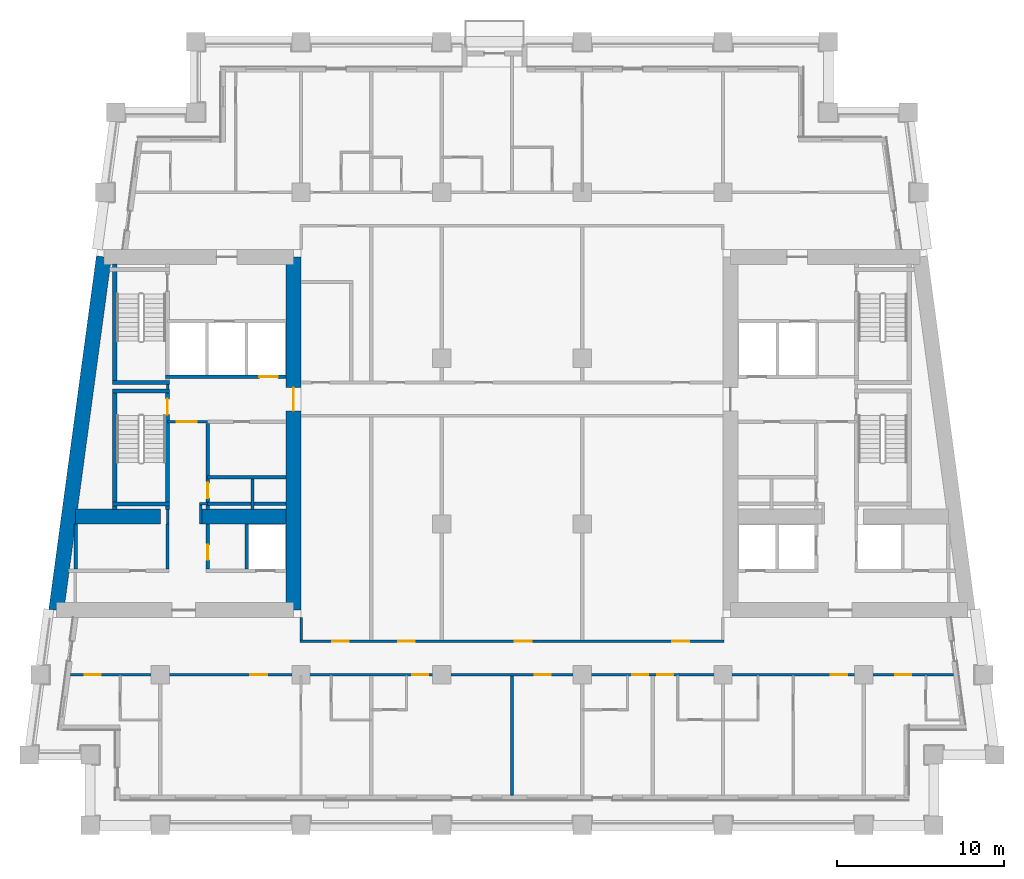
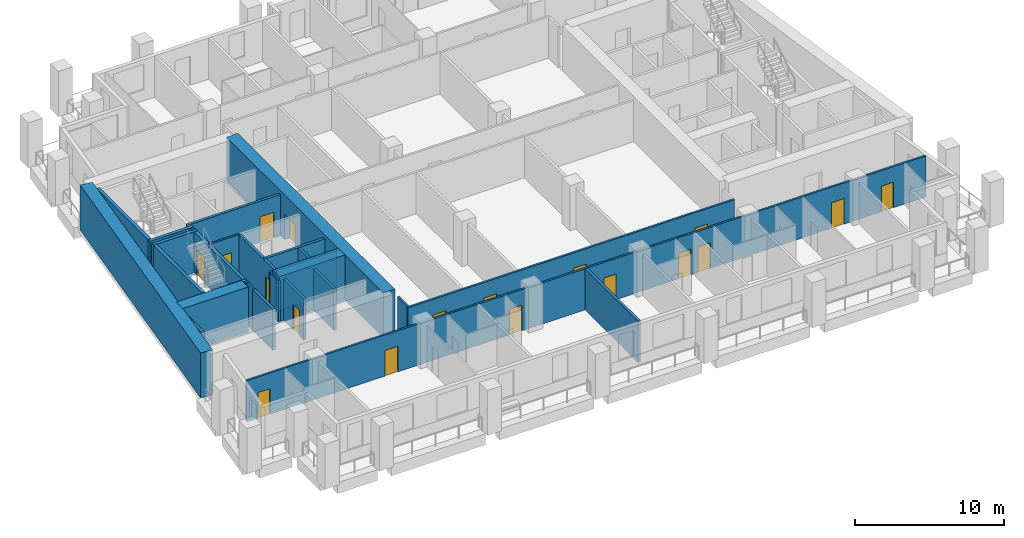
# One storey, part 3 of 12: 28 walls, 18 doors, 18 openings.
"""IFC4 building model written with IfcOpenShell, lengths in metres."""

from ifc_helpers import new_model, si_unit, direction, frame, frame_2d, origin, place, context, subcontext, project, spatial, rectangle, extrude, material, layer, layer_set, type_object, element, fill, save


model = new_model("IFC4")

# Units and contexts
model_context = context("Model", 3, precision=1e-05, world=origin(), true_north=direction((0.0, 1.0)))
body_context = subcontext(model_context, "Body", "Model", "MODEL_VIEW")
ifc_project = project(units=[si_unit("LENGTHUNIT", "METRE"), si_unit("AREAUNIT", "SQUARE_METRE"), si_unit("VOLUMEUNIT", "CUBIC_METRE"), si_unit("PLANEANGLEUNIT", "RADIAN"), si_unit("MASSUNIT", "GRAM", prefix="KILO")], contexts=[model_context])

# Site, building, storey
site_placement = place(None, origin())
site = spatial("IfcSite", under=ifc_project, at=site_placement, CompositionType="ELEMENT")
building_placement = place(site_placement, origin())
building = spatial("IfcBuilding", under=site, at=building_placement, Name="Candeia Pilgrim Tower and Theatre", CompositionType="ELEMENT")
storey_placement = place(building_placement, frame((0.0, 0.0, 184.800048828125)))
storey = spatial("IfcBuildingStorey", under=building, at=storey_placement, Name="L44", CompositionType="ELEMENT", Elevation=184.800048828125)

# Wall, opening, door
ifc_material_1 = material(Name="Concrete C60/75", Category="concrete")
ifc_layer_1 = layer(ifc_material_1, 0.89990234375)
ifc_layer_set_1 = layer_set([ifc_layer_1], Name="Core wall 900 C60/75")
wall_type_1 = type_object("IfcWallType", Name="Core wall 900 C60/75", PredefinedType="SHEAR", material=ifc_layer_set_1)
wall_1_placement = place(storey_placement, frame((100.35009765625, 131.949951171875, 0.0), z_axis=(0.0, 0.0, 1.0), x_axis=(0.0, -1.0, 0.0)))
wall_1 = element("IfcWall", 1, at=wall_1_placement, inside=storey, type_object=wall_type_1, Name="Core wall W2", PredefinedType="SHEAR", context=body_context, shape_type="SweptSolid", body=[
    extrude(rectangle(XDim=21.099853515625, YDim=0.89990234375, at=frame_2d((10.5498046875, 0.0))), origin(), (0.0, 0.0, 1.0), 3.699951171875),
])
opening_1_placement = place(wall_1_placement, frame((7.800048828125, 0.0, 0.0)))
opening_1 = element("IfcOpeningElement", 2, at=opening_1_placement, cuts=wall_1, Name="Opening L44-D055", PredefinedType="OPENING", context=body_context, shape_type="SweptSolid", body=[
    extrude(rectangle(XDim=1.39990234375, YDim=2.10009765625, at=frame_2d((0.699951171875, 1.050048828125))), frame((0.0, 0.4599609375, 0.0), z_axis=(0.0, -1.0, 0.0), x_axis=(1.0, 0.0, 0.0)), (0.0, 0.0, 1.0), 0.919921875),
])
ifc_material_2 = material(Name="Steel fire door set", Category="steel")
door_type_1 = type_object("IfcDoorType", Name="D-1400-FD60", OperationType="NOTDEFINED", PredefinedType="DOOR", material=ifc_material_2)
door_1_placement = place(opening_1_placement, origin())
door_1 = element("IfcDoor", 3, at=door_1_placement, inside=storey, type_object=door_type_1, Name="Door L44-D055", OperationType="SINGLE_SWING_LEFT", OverallHeight=2.10009765625, OverallWidth=1.39990234375, PredefinedType="DOOR", context=body_context, shape_type="SweptSolid", body=[
    extrude(rectangle(XDim=1.39990234375, YDim=2.10009765625, at=frame_2d((0.699951171875, 1.050048828125))), frame((0.0, 0.02490234375, 0.0), z_axis=(0.0, -1.0, 0.0), x_axis=(1.0, 0.0, 0.0)), (0.0, 0.0, 1.0), 0.050048828125),
])
fill(opening_1, door_1)

# Walls
wall_2_placement = place(storey_placement, frame((86.183837890625, 110.85009765625, 0.0), z_axis=(0.0, 0.0, 1.0), x_axis=(0.133410495943, 0.991060865725, 0.0)))
element("IfcWall", 4, at=wall_2_placement, inside=storey, type_object=wall_type_1, Name="Core wall W4", PredefinedType="SHEAR", context=body_context, shape_type="SweptSolid", body=[
    extrude(rectangle(XDim=21.290283203125, YDim=0.89990234375, at=frame_2d((10.64501953125, 0.0))), origin(), (0.0, 0.0, 1.0), 3.699951171875),
])
wall_3_placement = place(storey_placement, frame((87.322998046875, 116.449951171875, 0.0), z_axis=(0.0, 0.0, 1.0), x_axis=(1.0, 0.0, 0.0)))
element("IfcWall", 5, at=wall_3_placement, inside=storey, type_object=wall_type_1, Name="Core wall W5", PredefinedType="SHEAR", context=body_context, shape_type="SweptSolid", body=[
    extrude(rectangle(XDim=5.076904296875, YDim=0.89990234375, at=frame_2d((2.53857421875, 0.0))), origin(), (0.0, 0.0, 1.0), 3.699951171875),
])
wall_4_placement = place(storey_placement, frame((94.800048828125, 116.449951171875, 0.0), z_axis=(0.0, 0.0, 1.0), x_axis=(1.0, 0.0, 0.0)))
element("IfcWall", 6, at=wall_4_placement, inside=storey, type_object=wall_type_1, Name="Core wall W6", PredefinedType="SHEAR", context=body_context, shape_type="SweptSolid", body=[
    extrude(rectangle(XDim=5.099853515625, YDim=0.89990234375, at=frame_2d((2.5498046875, 0.0))), origin(), (0.0, 0.0, 1.0), 3.699951171875),
])
ifc_material_3 = material(Name="Gypsum board partition on steel studs", Category="steel")
ifc_layer_2 = layer(ifc_material_3, 0.14990234375)
ifc_layer_set_2 = layer_set([ifc_layer_2], Name="PW-150 lobby wall")
wall_type_2 = type_object("IfcWallType", Name="PW-150 lobby wall", PredefinedType="PARTITIONING", material=ifc_layer_set_2)
wall_5_placement = place(storey_placement, frame((94.72509765625, 117.199951171875, 0.0), z_axis=(0.0, 0.0, 1.0), x_axis=(1.0, 0.0, 0.0)))
element("IfcWall", 7, at=wall_5_placement, inside=storey, type_object=wall_type_2, Name="Lobby wall L44-015", PredefinedType="PARTITIONING", context=body_context, shape_type="SweptSolid", body=[
    extrude(rectangle(XDim=0.501953125, YDim=0.14990234375, at=frame_2d((0.2509765625, 0.0))), origin(), (0.0, 0.0, 1.0), 3.3798828125),
])

# Wall, opening, door
wall_6_placement = place(storey_placement, frame((92.826904296875, 122.10009765625, 0.0), z_axis=(0.0, 0.0, 1.0), x_axis=(1.0, 0.0, 0.0)))
wall_6 = element("IfcWall", 8, at=wall_6_placement, inside=storey, type_object=wall_type_2, Name="Lobby wall L44-023", PredefinedType="PARTITIONING", context=body_context, shape_type="SweptSolid", body=[
    extrude(rectangle(XDim=2.400146484375, YDim=0.14990234375, at=frame_2d((1.2001953125, 0.0))), origin(), (0.0, 0.0, 1.0), 3.3798828125),
])
opening_2_placement = place(wall_6_placement, frame((0.550048828125, 0.0, 0.0)))
opening_2 = element("IfcOpeningElement", 9, at=opening_2_placement, cuts=wall_6, Name="Opening L44-D001", PredefinedType="OPENING", context=body_context, shape_type="SweptSolid", body=[
    extrude(rectangle(XDim=1.199951171875, YDim=2.10009765625, at=frame_2d((0.60009765625, 1.050048828125))), frame((0.0, 0.0849609375, 0.0), z_axis=(0.0, -1.0, 0.0), x_axis=(1.0, 0.0, 0.0)), (0.0, 0.0, 1.0), 0.169921875),
])
door_type_2 = type_object("IfcDoorType", Name="D-1200-FD60", OperationType="NOTDEFINED", PredefinedType="DOOR", material=ifc_material_2)
door_2_placement = place(opening_2_placement, origin())
door_2 = element("IfcDoor", 10, at=door_2_placement, inside=storey, type_object=door_type_2, Name="Door L44-D001", OperationType="SINGLE_SWING_LEFT", OverallHeight=2.10009765625, OverallWidth=1.199951171875, PredefinedType="DOOR", context=body_context, shape_type="SweptSolid", body=[
    extrude(rectangle(XDim=1.199951171875, YDim=2.10009765625, at=frame_2d((0.60009765625, 1.050048828125))), frame((0.0, 0.02490234375, 0.0), z_axis=(0.0, -1.0, 0.0), x_axis=(1.0, 0.0, 0.0)), (0.0, 0.0, 1.0), 0.050048828125),
])
fill(opening_2, door_2)

# Walls
wall_7_placement = place(storey_placement, frame((92.826904296875, 116.0, 0.0), z_axis=(0.0, 0.0, 1.0), x_axis=(0.0, 1.0, 0.0)))
element("IfcWall", 11, at=wall_7_placement, inside=storey, type_object=wall_type_2, Name="Lobby wall L44-054", PredefinedType="PARTITIONING", context=body_context, shape_type="SweptSolid", body=[
    extrude(rectangle(XDim=0.8701171875, YDim=0.14990234375, at=frame_2d((0.43505859375, 0.0))), origin(), (0.0, 0.0, 1.0), 3.3798828125),
])
wall_8_placement = place(storey_placement, frame((92.826904296875, 124.074951171875, 0.0), z_axis=(0.0, 0.0, 1.0), x_axis=(0.0, 1.0, 0.0)))
element("IfcWall", 12, at=wall_8_placement, inside=storey, type_object=wall_type_2, Name="Lobby wall L44-055", PredefinedType="PARTITIONING", context=body_context, shape_type="SweptSolid", body=[
    extrude(rectangle(XDim=0.25, YDim=0.14990234375, at=frame_2d((0.125, 0.0))), origin(), (0.0, 0.0, 1.0), 3.3798828125),
])
wall_9_placement = place(storey_placement, frame((94.800048828125, 116.0, 0.0), z_axis=(0.0, 0.0, 1.0), x_axis=(0.0, 1.0, 0.0)))
element("IfcWall", 13, at=wall_9_placement, inside=storey, type_object=wall_type_2, Name="Lobby wall L44-059", PredefinedType="PARTITIONING", context=body_context, shape_type="SweptSolid", body=[
    extrude(rectangle(XDim=1.125, YDim=0.14990234375, at=frame_2d((0.5625, 0.0))), origin(), (0.0, 0.0, 1.0), 3.3798828125),
])

# Wall, openings, doors
ifc_layer_3 = layer(ifc_material_3, 0.14990234375)
ifc_layer_set_3 = layer_set([ifc_layer_3], Name="PW-150 unit wall")
wall_type_3 = type_object("IfcWallType", Name="PW-150 unit wall", PredefinedType="PARTITIONING", material=ifc_layer_set_3)
wall_10_placement = place(storey_placement, frame((87.017578125, 107.0, 0.0), z_axis=(0.0, 0.0, 1.0), x_axis=(1.0, 0.0, 0.0)))
wall_10 = element("IfcWall", 14, at=wall_10_placement, inside=storey, type_object=wall_type_3, Name="Unit wall L44-007", PredefinedType="PARTITIONING", context=body_context, shape_type="SweptSolid", body=[
    extrude(rectangle(XDim=52.7646484375, YDim=0.14990234375, at=frame_2d((26.38232421875, 0.0))), origin(), (0.0, 0.0, 1.0), 3.3798828125),
])
opening_3_placement = place(wall_10_placement, frame((0.870361328125, 0.0, 0.0)))
opening_3 = element("IfcOpeningElement", 15, at=opening_3_placement, cuts=wall_10, Name="Opening L44-D014", PredefinedType="OPENING", context=body_context, shape_type="SweptSolid", body=[
    extrude(rectangle(XDim=0.949951171875, YDim=2.10009765625, at=frame_2d((0.47509765625, 1.050048828125))), frame((0.0, 0.0849609375, 0.0), z_axis=(0.0, -1.0, 0.0), x_axis=(1.0, 0.0, 0.0)), (0.0, 0.0, 1.0), 0.169921875),
])
opening_4_placement = place(wall_10_placement, frame((10.75732421875, 0.0, 0.0)))
opening_4 = element("IfcOpeningElement", 16, at=opening_4_placement, cuts=wall_10, Name="Opening L44-D016", PredefinedType="OPENING", context=body_context, shape_type="SweptSolid", body=[
    extrude(rectangle(XDim=1.0, YDim=2.10009765625, at=frame_2d((0.5, 1.050048828125))), frame((0.0, 0.0849609375, 0.0), z_axis=(0.0, -1.0, 0.0), x_axis=(1.0, 0.0, 0.0)), (0.0, 0.0, 1.0), 0.169921875),
])
opening_5_placement = place(wall_10_placement, frame((20.432373046875, 0.0, 0.0)))
opening_5 = element("IfcOpeningElement", 17, at=opening_5_placement, cuts=wall_10, Name="Opening L44-D019", PredefinedType="OPENING", context=body_context, shape_type="SweptSolid", body=[
    extrude(rectangle(XDim=0.949951171875, YDim=2.10009765625, at=frame_2d((0.47509765625, 1.050048828125))), frame((0.0, 0.0849609375, 0.0), z_axis=(0.0, -1.0, 0.0), x_axis=(1.0, 0.0, 0.0)), (0.0, 0.0, 1.0), 0.169921875),
])
opening_6_placement = place(wall_10_placement, frame((27.752197265625, 0.0, 0.0)))
opening_6 = element("IfcOpeningElement", 18, at=opening_6_placement, cuts=wall_10, Name="Opening L44-D021", PredefinedType="OPENING", context=body_context, shape_type="SweptSolid", body=[
    extrude(rectangle(XDim=0.949951171875, YDim=2.10009765625, at=frame_2d((0.47509765625, 1.050048828125))), frame((0.0, 0.0849609375, 0.0), z_axis=(0.0, -1.0, 0.0), x_axis=(1.0, 0.0, 0.0)), (0.0, 0.0, 1.0), 0.169921875),
])
opening_7_placement = place(wall_10_placement, frame((33.557373046875, 0.0, 0.0)))
opening_7 = element("IfcOpeningElement", 19, at=opening_7_placement, cuts=wall_10, Name="Opening L44-D022", PredefinedType="OPENING", context=body_context, shape_type="SweptSolid", body=[
    extrude(rectangle(XDim=0.949951171875, YDim=2.10009765625, at=frame_2d((0.47509765625, 1.050048828125))), frame((0.0, 0.0849609375, 0.0), z_axis=(0.0, -1.0, 0.0), x_axis=(1.0, 0.0, 0.0)), (0.0, 0.0, 1.0), 0.169921875),
])
opening_8_placement = place(wall_10_placement, frame((35.057373046875, 0.0, 0.0)))
opening_8 = element("IfcOpeningElement", 20, at=opening_8_placement, cuts=wall_10, Name="Opening L44-D024", PredefinedType="OPENING", context=body_context, shape_type="SweptSolid", body=[
    extrude(rectangle(XDim=0.949951171875, YDim=2.10009765625, at=frame_2d((0.47509765625, 1.050048828125))), frame((0.0, 0.0849609375, 0.0), z_axis=(0.0, -1.0, 0.0), x_axis=(1.0, 0.0, 0.0)), (0.0, 0.0, 1.0), 0.169921875),
])
opening_9_placement = place(wall_10_placement, frame((45.4072265625, 0.0, 0.0)))
opening_9 = element("IfcOpeningElement", 21, at=opening_9_placement, cuts=wall_10, Name="Opening L44-D026", PredefinedType="OPENING", context=body_context, shape_type="SweptSolid", body=[
    extrude(rectangle(XDim=1.0, YDim=2.10009765625, at=frame_2d((0.5, 1.050048828125))), frame((0.0, 0.0849609375, 0.0), z_axis=(0.0, -1.0, 0.0), x_axis=(1.0, 0.0, 0.0)), (0.0, 0.0, 1.0), 0.169921875),
])
opening_10_placement = place(wall_10_placement, frame((49.285400390625, 0.0, 0.0)))
opening_10 = element("IfcOpeningElement", 22, at=opening_10_placement, cuts=wall_10, Name="Opening L44-D029", PredefinedType="OPENING", context=body_context, shape_type="SweptSolid", body=[
    extrude(rectangle(XDim=0.949951171875, YDim=2.10009765625, at=frame_2d((0.47509765625, 1.050048828125))), frame((0.0, 0.0849609375, 0.0), z_axis=(0.0, -1.0, 0.0), x_axis=(1.0, 0.0, 0.0)), (0.0, 0.0, 1.0), 0.169921875),
])
door_type_3 = type_object("IfcDoorType", Name="D-1000-FD30S", OperationType="NOTDEFINED", PredefinedType="DOOR", material=ifc_material_2)
door_3_placement = place(opening_4_placement, origin())
door_3 = element("IfcDoor", 23, at=door_3_placement, inside=storey, type_object=door_type_3, Name="Door L44-D016", OperationType="SINGLE_SWING_RIGHT", OverallHeight=2.10009765625, OverallWidth=1.0, PredefinedType="DOOR", context=body_context, shape_type="SweptSolid", body=[
    extrude(rectangle(XDim=1.0, YDim=2.10009765625, at=frame_2d((0.5, 1.050048828125))), frame((0.0, 0.02490234375, 0.0), z_axis=(0.0, -1.0, 0.0), x_axis=(1.0, 0.0, 0.0)), (0.0, 0.0, 1.0), 0.050048828125),
])
fill(opening_4, door_3)
door_4_placement = place(opening_9_placement, origin())
door_4 = element("IfcDoor", 24, at=door_4_placement, inside=storey, type_object=door_type_3, Name="Door L44-D026", OperationType="SINGLE_SWING_RIGHT", OverallHeight=2.10009765625, OverallWidth=1.0, PredefinedType="DOOR", context=body_context, shape_type="SweptSolid", body=[
    extrude(rectangle(XDim=1.0, YDim=2.10009765625, at=frame_2d((0.5, 1.050048828125))), frame((0.0, 0.02490234375, 0.0), z_axis=(0.0, -1.0, 0.0), x_axis=(1.0, 0.0, 0.0)), (0.0, 0.0, 1.0), 0.050048828125),
])
fill(opening_9, door_4)
door_type_4 = type_object("IfcDoorType", Name="D-950-FD30S", OperationType="NOTDEFINED", PredefinedType="DOOR", material=ifc_material_2)
door_5_placement = place(opening_3_placement, origin())
door_5 = element("IfcDoor", 25, at=door_5_placement, inside=storey, type_object=door_type_4, Name="Door L44-D014", OperationType="SINGLE_SWING_RIGHT", OverallHeight=2.10009765625, OverallWidth=0.949951171875, PredefinedType="DOOR", context=body_context, shape_type="SweptSolid", body=[
    extrude(rectangle(XDim=0.949951171875, YDim=2.10009765625, at=frame_2d((0.47509765625, 1.050048828125))), frame((0.0, 0.02490234375, 0.0), z_axis=(0.0, -1.0, 0.0), x_axis=(1.0, 0.0, 0.0)), (0.0, 0.0, 1.0), 0.050048828125),
])
fill(opening_3, door_5)
door_6_placement = place(opening_5_placement, origin())
door_6 = element("IfcDoor", 26, at=door_6_placement, inside=storey, type_object=door_type_4, Name="Door L44-D019", OperationType="SINGLE_SWING_LEFT", OverallHeight=2.10009765625, OverallWidth=0.949951171875, PredefinedType="DOOR", context=body_context, shape_type="SweptSolid", body=[
    extrude(rectangle(XDim=0.949951171875, YDim=2.10009765625, at=frame_2d((0.47509765625, 1.050048828125))), frame((0.0, 0.02490234375, 0.0), z_axis=(0.0, -1.0, 0.0), x_axis=(1.0, 0.0, 0.0)), (0.0, 0.0, 1.0), 0.050048828125),
])
fill(opening_5, door_6)
door_7_placement = place(opening_6_placement, origin())
door_7 = element("IfcDoor", 27, at=door_7_placement, inside=storey, type_object=door_type_4, Name="Door L44-D021", OperationType="SINGLE_SWING_LEFT", OverallHeight=2.10009765625, OverallWidth=0.949951171875, PredefinedType="DOOR", context=body_context, shape_type="SweptSolid", body=[
    extrude(rectangle(XDim=0.949951171875, YDim=2.10009765625, at=frame_2d((0.47509765625, 1.050048828125))), frame((0.0, 0.02490234375, 0.0), z_axis=(0.0, -1.0, 0.0), x_axis=(1.0, 0.0, 0.0)), (0.0, 0.0, 1.0), 0.050048828125),
])
fill(opening_6, door_7)
door_8_placement = place(opening_7_placement, origin())
door_8 = element("IfcDoor", 28, at=door_8_placement, inside=storey, type_object=door_type_4, Name="Door L44-D022", OperationType="SINGLE_SWING_RIGHT", OverallHeight=2.10009765625, OverallWidth=0.949951171875, PredefinedType="DOOR", context=body_context, shape_type="SweptSolid", body=[
    extrude(rectangle(XDim=0.949951171875, YDim=2.10009765625, at=frame_2d((0.47509765625, 1.050048828125))), frame((0.0, 0.02490234375, 0.0), z_axis=(0.0, -1.0, 0.0), x_axis=(1.0, 0.0, 0.0)), (0.0, 0.0, 1.0), 0.050048828125),
])
fill(opening_7, door_8)
door_9_placement = place(opening_8_placement, origin())
door_9 = element("IfcDoor", 29, at=door_9_placement, inside=storey, type_object=door_type_4, Name="Door L44-D024", OperationType="SINGLE_SWING_RIGHT", OverallHeight=2.10009765625, OverallWidth=0.949951171875, PredefinedType="DOOR", context=body_context, shape_type="SweptSolid", body=[
    extrude(rectangle(XDim=0.949951171875, YDim=2.10009765625, at=frame_2d((0.47509765625, 1.050048828125))), frame((0.0, 0.02490234375, 0.0), z_axis=(0.0, -1.0, 0.0), x_axis=(1.0, 0.0, 0.0)), (0.0, 0.0, 1.0), 0.050048828125),
])
fill(opening_8, door_9)
door_10_placement = place(opening_10_placement, origin())
door_10 = element("IfcDoor", 30, at=door_10_placement, inside=storey, type_object=door_type_4, Name="Door L44-D029", OperationType="SINGLE_SWING_LEFT", OverallHeight=2.10009765625, OverallWidth=0.949951171875, PredefinedType="DOOR", context=body_context, shape_type="SweptSolid", body=[
    extrude(rectangle(XDim=0.949951171875, YDim=2.10009765625, at=frame_2d((0.47509765625, 1.050048828125))), frame((0.0, 0.02490234375, 0.0), z_axis=(0.0, -1.0, 0.0), x_axis=(1.0, 0.0, 0.0)), (0.0, 0.0, 1.0), 0.050048828125),
])
fill(opening_10, door_10)

wall_11_placement = place(storey_placement, frame((100.72509765625, 109.0, 0.0), z_axis=(0.0, 0.0, 1.0), x_axis=(1.0, 0.0, 0.0)))
wall_11 = element("IfcWall", 31, at=wall_11_placement, inside=storey, type_object=wall_type_3, Name="Unit wall L44-008", PredefinedType="PARTITIONING", context=body_context, shape_type="SweptSolid", body=[
    extrude(rectangle(XDim=25.349853515625, YDim=0.14990234375, at=frame_2d((12.6748046875, 0.0))), origin(), (0.0, 0.0, 1.0), 3.3798828125),
])
opening_11_placement = place(wall_11_placement, frame((1.925048828125, 0.0, 0.0)))
opening_11 = element("IfcOpeningElement", 32, at=opening_11_placement, cuts=wall_11, Name="Opening L44-D045", PredefinedType="OPENING", context=body_context, shape_type="SweptSolid", body=[
    extrude(rectangle(XDim=1.0, YDim=2.10009765625, at=frame_2d((0.5, 1.050048828125))), frame((0.0, 0.0849609375, 0.0), z_axis=(0.0, -1.0, 0.0), x_axis=(1.0, 0.0, 0.0)), (0.0, 0.0, 1.0), 0.169921875),
])
opening_12_placement = place(wall_11_placement, frame((5.875, 0.0, 0.0)))
opening_12 = element("IfcOpeningElement", 33, at=opening_12_placement, cuts=wall_11, Name="Opening L44-D046", PredefinedType="OPENING", context=body_context, shape_type="SweptSolid", body=[
    extrude(rectangle(XDim=1.0, YDim=2.10009765625, at=frame_2d((0.5, 1.050048828125))), frame((0.0, 0.0849609375, 0.0), z_axis=(0.0, -1.0, 0.0), x_axis=(1.0, 0.0, 0.0)), (0.0, 0.0, 1.0), 0.169921875),
])
opening_13_placement = place(wall_11_placement, frame((12.844970703125, 0.0, 0.0)))
opening_13 = element("IfcOpeningElement", 34, at=opening_13_placement, cuts=wall_11, Name="Opening L44-D047", PredefinedType="OPENING", context=body_context, shape_type="SweptSolid", body=[
    extrude(rectangle(XDim=1.0, YDim=2.10009765625, at=frame_2d((0.5, 1.050048828125))), frame((0.0, 0.0849609375, 0.0), z_axis=(0.0, -1.0, 0.0), x_axis=(1.0, 0.0, 0.0)), (0.0, 0.0, 1.0), 0.169921875),
])
opening_14_placement = place(wall_11_placement, frame((22.25, 0.0, 0.0)))
opening_14 = element("IfcOpeningElement", 35, at=opening_14_placement, cuts=wall_11, Name="Opening L44-D048", PredefinedType="OPENING", context=body_context, shape_type="SweptSolid", body=[
    extrude(rectangle(XDim=1.0, YDim=2.10009765625, at=frame_2d((0.5, 1.050048828125))), frame((0.0, 0.0849609375, 0.0), z_axis=(0.0, -1.0, 0.0), x_axis=(1.0, 0.0, 0.0)), (0.0, 0.0, 1.0), 0.169921875),
])
door_11_placement = place(opening_11_placement, origin())
door_11 = element("IfcDoor", 36, at=door_11_placement, inside=storey, type_object=door_type_3, Name="Door L44-D045", OperationType="SINGLE_SWING_LEFT", OverallHeight=2.10009765625, OverallWidth=1.0, PredefinedType="DOOR", context=body_context, shape_type="SweptSolid", body=[
    extrude(rectangle(XDim=1.0, YDim=2.10009765625, at=frame_2d((0.5, 1.050048828125))), frame((0.0, 0.02490234375, 0.0), z_axis=(0.0, -1.0, 0.0), x_axis=(1.0, 0.0, 0.0)), (0.0, 0.0, 1.0), 0.050048828125),
])
fill(opening_11, door_11)
door_12_placement = place(opening_12_placement, origin())
door_12 = element("IfcDoor", 37, at=door_12_placement, inside=storey, type_object=door_type_3, Name="Door L44-D046", OperationType="SINGLE_SWING_RIGHT", OverallHeight=2.10009765625, OverallWidth=1.0, PredefinedType="DOOR", context=body_context, shape_type="SweptSolid", body=[
    extrude(rectangle(XDim=1.0, YDim=2.10009765625, at=frame_2d((0.5, 1.050048828125))), frame((0.0, 0.02490234375, 0.0), z_axis=(0.0, -1.0, 0.0), x_axis=(1.0, 0.0, 0.0)), (0.0, 0.0, 1.0), 0.050048828125),
])
fill(opening_12, door_12)
door_13_placement = place(opening_13_placement, origin())
door_13 = element("IfcDoor", 38, at=door_13_placement, inside=storey, type_object=door_type_3, Name="Door L44-D047", OperationType="SINGLE_SWING_LEFT", OverallHeight=2.10009765625, OverallWidth=1.0, PredefinedType="DOOR", context=body_context, shape_type="SweptSolid", body=[
    extrude(rectangle(XDim=1.0, YDim=2.10009765625, at=frame_2d((0.5, 1.050048828125))), frame((0.0, 0.02490234375, 0.0), z_axis=(0.0, -1.0, 0.0), x_axis=(1.0, 0.0, 0.0)), (0.0, 0.0, 1.0), 0.050048828125),
])
fill(opening_13, door_13)
door_14_placement = place(opening_14_placement, origin())
door_14 = element("IfcDoor", 39, at=door_14_placement, inside=storey, type_object=door_type_3, Name="Door L44-D048", OperationType="SINGLE_SWING_RIGHT", OverallHeight=2.10009765625, OverallWidth=1.0, PredefinedType="DOOR", context=body_context, shape_type="SweptSolid", body=[
    extrude(rectangle(XDim=1.0, YDim=2.10009765625, at=frame_2d((0.5, 1.050048828125))), frame((0.0, 0.02490234375, 0.0), z_axis=(0.0, -1.0, 0.0), x_axis=(1.0, 0.0, 0.0)), (0.0, 0.0, 1.0), 0.050048828125),
])
fill(opening_14, door_14)

# Walls
wall_12_placement = place(storey_placement, frame((100.800048828125, 109.074951171875, 0.0), z_axis=(0.0, 0.0, 1.0), x_axis=(0.0, 1.0, 0.0)))
element("IfcWall", 40, at=wall_12_placement, inside=storey, type_object=wall_type_3, Name="Unit wall L44-069", PredefinedType="PARTITIONING", context=body_context, shape_type="SweptSolid", body=[
    extrude(rectangle(XDim=1.324951171875, YDim=0.14990234375, at=frame_2d((0.66259765625, 0.0))), origin(), (0.0, 0.0, 1.0), 3.3798828125),
])
ifc_layer_4 = layer(ifc_material_3, 0.199951171875)
ifc_layer_set_4 = layer_set([ifc_layer_4], Name="PW-200 party wall")
wall_type_4 = type_object("IfcWallType", Name="PW-200 party wall", PredefinedType="PARTITIONING", material=ifc_layer_set_4)
wall_13_placement = place(storey_placement, frame((113.39990234375, 99.7900390625, 0.0), z_axis=(0.0, 0.0, 1.0), x_axis=(0.0, 1.0, 0.0)))
element("IfcWall", 41, at=wall_13_placement, inside=storey, type_object=wall_type_4, Name="Party wall L44-084", PredefinedType="PARTITIONING", context=body_context, shape_type="SweptSolid", body=[
    extrude(rectangle(XDim=7.135009765625, YDim=0.199951171875, at=frame_2d((3.5673828125, 0.0))), origin(), (0.0, 0.0, 1.0), 3.3798828125),
])
ifc_material_4 = material(Name="Concrete C40/50", Category="concrete")
ifc_layer_5 = layer(ifc_material_4, 0.199951171875)
ifc_layer_set_5 = layer_set([ifc_layer_5], Name="SW-200 shaft wall")
wall_type_5 = type_object("IfcWallType", Name="SW-200 shaft wall", PredefinedType="PARTITIONING", material=ifc_layer_set_5)
for number, where, z_axis, x_axis, name in (
    (42, (95.22705078125, 117.199951171875, 0.0), (0.0, 0.0, 1.0), (1.0, 0.0, 0.0), "Shaft wall L44-013"),
    (43, (95.22705078125, 118.800048828125, 0.0), (0.0, 0.0, 1.0), (1.0, 0.0, 0.0), "Shaft wall L44-019"),
):
    element("IfcWall", number, at=place(storey_placement, frame(where, z_axis=z_axis, x_axis=x_axis)), inside=storey, type_object=wall_type_5, Name=name, PredefinedType="PARTITIONING", context=body_context, shape_type="SweptSolid", body=[
        extrude(rectangle(XDim=4.6728515625, YDim=0.199951171875, at=frame_2d((2.33642578125, 0.0))), origin(), (0.0, 0.0, 1.0), 3.3798828125),
    ])

# Wall, opening, door
wall_14_placement = place(storey_placement, frame((92.701904296875, 124.800048828125, 0.0), z_axis=(0.0, 0.0, 1.0), x_axis=(1.0, 0.0, 0.0)))
wall_14 = element("IfcWall", 44, at=wall_14_placement, inside=storey, type_object=wall_type_5, Name="Shaft wall L44-031", PredefinedType="PARTITIONING", context=body_context, shape_type="SweptSolid", body=[
    extrude(rectangle(XDim=7.197998046875, YDim=0.199951171875, at=frame_2d((3.59912109375, 0.0))), origin(), (0.0, 0.0, 1.0), 3.3798828125),
])
opening_15_placement = place(wall_14_placement, frame((5.60888671875, 0.0, 0.0)))
opening_15 = element("IfcOpeningElement", 45, at=opening_15_placement, cuts=wall_14, Name="Opening L44-LD02", PredefinedType="OPENING", context=body_context, shape_type="SweptSolid", body=[
    extrude(rectangle(XDim=1.10009765625, YDim=2.10009765625, at=frame_2d((0.550048828125, 1.050048828125))), frame((0.0, 0.10986328125, 0.0), z_axis=(0.0, -1.0, 0.0), x_axis=(1.0, 0.0, 0.0)), (0.0, 0.0, 1.0), 0.219970703125),
])
ifc_material_5 = material(Name="Glazed aluminium landing door", Category="aluminium")
door_type_5 = type_object("IfcDoorType", Name="LD-1100-EI120", OperationType="SLIDING_TO_LEFT", PredefinedType="DOOR", material=ifc_material_5)
door_15_placement = place(opening_15_placement, origin())
door_15 = element("IfcDoor", 46, at=door_15_placement, inside=storey, type_object=door_type_5, Name="Landing door 02 L44", OperationType="SLIDING_TO_LEFT", OverallHeight=2.10009765625, OverallWidth=1.10009765625, PredefinedType="DOOR", context=body_context, shape_type="SweptSolid", body=[
    extrude(rectangle(XDim=1.10009765625, YDim=2.10009765625, at=frame_2d((0.550048828125, 1.050048828125))), frame((0.0, 0.02490234375, 0.0), z_axis=(0.0, -1.0, 0.0), x_axis=(1.0, 0.0, 0.0)), (0.0, 0.0, 1.0), 0.050048828125),
])
fill(opening_15, door_15)

# Walls
for number, where, z_axis, x_axis, name in (
    (47, (87.350341796875, 113.300048828125, 0.0), (0.0, 0.0, 1.0), (0.0, 1.0, 0.0), "Shaft wall L44-047"),
    (48, (92.826904296875, 113.300048828125, 0.0), (0.0, 0.0, 1.0), (0.0, 1.0, 0.0), "Shaft wall L44-053"),
):
    element("IfcWall", number, at=place(storey_placement, frame(where, z_axis=z_axis, x_axis=x_axis)), inside=storey, type_object=wall_type_5, Name=name, PredefinedType="PARTITIONING", context=body_context, shape_type="SweptSolid", body=[
        extrude(rectangle(XDim=2.699951171875, YDim=0.199951171875, at=frame_2d((1.35009765625, 0.0))), origin(), (0.0, 0.0, 1.0), 3.3798828125),
    ])

# Wall, opening, door
wall_15_placement = place(storey_placement, frame((95.22705078125, 113.300048828125, 0.0), z_axis=(0.0, 0.0, 1.0), x_axis=(0.0, 1.0, 0.0)))
wall_15 = element("IfcWall", 49, at=wall_15_placement, inside=storey, type_object=wall_type_5, Name="Shaft wall L44-061", PredefinedType="PARTITIONING", context=body_context, shape_type="SweptSolid", body=[
    extrude(rectangle(XDim=2.699951171875, YDim=0.199951171875, at=frame_2d((1.35009765625, 0.0))), origin(), (0.0, 0.0, 1.0), 3.3798828125),
])
opening_16_placement = place(wall_15_placement, frame((0.550048828125, 0.0, 0.0)))
opening_16 = element("IfcOpeningElement", 50, at=opening_16_placement, cuts=wall_15, Name="Opening L44-D007", PredefinedType="OPENING", context=body_context, shape_type="SweptSolid", body=[
    extrude(rectangle(XDim=0.89990234375, YDim=2.10009765625, at=frame_2d((0.449951171875, 1.050048828125))), frame((0.0, 0.10986328125, 0.0), z_axis=(0.0, -1.0, 0.0), x_axis=(1.0, 0.0, 0.0)), (0.0, 0.0, 1.0), 0.219970703125),
])
door_type_6 = type_object("IfcDoorType", Name="D-900-FD60", OperationType="NOTDEFINED", PredefinedType="DOOR", material=ifc_material_2)
door_16_placement = place(opening_16_placement, origin())
door_16 = element("IfcDoor", 51, at=door_16_placement, inside=storey, type_object=door_type_6, Name="Door L44-D007", OperationType="SINGLE_SWING_RIGHT", OverallHeight=2.10009765625, OverallWidth=0.89990234375, PredefinedType="DOOR", context=body_context, shape_type="SweptSolid", body=[
    extrude(rectangle(XDim=0.89990234375, YDim=2.10009765625, at=frame_2d((0.449951171875, 1.050048828125))), frame((0.0, 0.02490234375, 0.0), z_axis=(0.0, -1.0, 0.0), x_axis=(1.0, 0.0, 0.0)), (0.0, 0.0, 1.0), 0.050048828125),
])
fill(opening_16, door_16)

wall_16_placement = place(storey_placement, frame((95.22705078125, 116.8701171875, 0.0), z_axis=(0.0, 0.0, 1.0), x_axis=(0.0, 1.0, 0.0)))
wall_16 = element("IfcWall", 52, at=wall_16_placement, inside=storey, type_object=wall_type_5, Name="Shaft wall L44-062", PredefinedType="PARTITIONING", context=body_context, shape_type="SweptSolid", body=[
    extrude(rectangle(XDim=5.1298828125, YDim=0.199951171875, at=frame_2d((2.56494140625, 0.0))), origin(), (0.0, 0.0, 1.0), 3.3798828125),
])
opening_17_placement = place(wall_16_placement, frame((0.679931640625, 0.0, 0.0)))
opening_17 = element("IfcOpeningElement", 53, at=opening_17_placement, cuts=wall_16, Name="Opening L44-D005", PredefinedType="OPENING", context=body_context, shape_type="SweptSolid", body=[
    extrude(rectangle(XDim=0.89990234375, YDim=2.10009765625, at=frame_2d((0.449951171875, 1.050048828125))), frame((0.0, 0.10986328125, 0.0), z_axis=(0.0, -1.0, 0.0), x_axis=(1.0, 0.0, 0.0)), (0.0, 0.0, 1.0), 0.219970703125),
])
door_17_placement = place(opening_17_placement, origin())
door_17 = element("IfcDoor", 54, at=door_17_placement, inside=storey, type_object=door_type_6, Name="Door L44-D005", OperationType="SINGLE_SWING_LEFT", OverallHeight=2.10009765625, OverallWidth=0.89990234375, PredefinedType="DOOR", context=body_context, shape_type="SweptSolid", body=[
    extrude(rectangle(XDim=0.89990234375, YDim=2.10009765625, at=frame_2d((0.449951171875, 1.050048828125))), frame((0.0, 0.02490234375, 0.0), z_axis=(0.0, -1.0, 0.0), x_axis=(1.0, 0.0, 0.0)), (0.0, 0.0, 1.0), 0.050048828125),
])
fill(opening_17, door_17)

# Walls
wall_17_placement = place(storey_placement, frame((97.5634765625, 113.300048828125, 0.0), z_axis=(0.0, 0.0, 1.0), x_axis=(0.0, 1.0, 0.0)))
element("IfcWall", 55, at=wall_17_placement, inside=storey, type_object=wall_type_5, Name="Shaft wall L44-065", PredefinedType="PARTITIONING", context=body_context, shape_type="SweptSolid", body=[
    extrude(rectangle(XDim=2.699951171875, YDim=0.199951171875, at=frame_2d((1.35009765625, 0.0))), origin(), (0.0, 0.0, 1.0), 3.3798828125),
])
wall_18_placement = place(storey_placement, frame((97.89990234375, 116.8701171875, 0.0), z_axis=(0.0, 0.0, 1.0), x_axis=(0.0, 1.0, 0.0)))
element("IfcWall", 56, at=wall_18_placement, inside=storey, type_object=wall_type_5, Name="Shaft wall L44-066", PredefinedType="PARTITIONING", context=body_context, shape_type="SweptSolid", body=[
    extrude(rectangle(XDim=1.829833984375, YDim=0.199951171875, at=frame_2d((0.9150390625, 0.0))), origin(), (0.0, 0.0, 1.0), 3.3798828125),
])
ifc_layer_6 = layer(ifc_material_4, 0.25)
ifc_layer_set_6 = layer_set([ifc_layer_6], Name="SW-250 stair wall")
wall_type_6 = type_object("IfcWallType", Name="SW-250 stair wall", PredefinedType="PARTITIONING", material=ifc_layer_set_6)
for number, where, z_axis, x_axis, name in (
    (57, (89.552001953125, 117.199951171875, 0.0), (0.0, 0.0, 1.0), (1.0, 0.0, 0.0), "Stair wall L44-017"),
    (58, (89.552001953125, 123.949951171875, 0.0), (0.0, 0.0, 1.0), (1.0, 0.0, 0.0), "Stair wall L44-026"),
    (59, (89.552001953125, 124.449951171875, 0.0), (0.0, 0.0, 1.0), (1.0, 0.0, 0.0), "Stair wall L44-028"),
):
    element("IfcWall", number, at=place(storey_placement, frame(where, z_axis=z_axis, x_axis=x_axis)), inside=storey, type_object=wall_type_6, Name=name, PredefinedType="PARTITIONING", context=body_context, shape_type="SweptSolid", body=[
        extrude(rectangle(XDim=3.39990234375, YDim=0.25, at=frame_2d((1.699951171875, 0.0))), origin(), (0.0, 0.0, 1.0), 3.3798828125),
    ])
wall_19_placement = place(storey_placement, frame((89.677001953125, 116.8701171875, 0.0), z_axis=(0.0, 0.0, 1.0), x_axis=(0.0, 1.0, 0.0)))
element("IfcWall", 60, at=wall_19_placement, inside=storey, type_object=wall_type_6, Name="Stair wall L44-049", PredefinedType="PARTITIONING", context=body_context, shape_type="SweptSolid", body=[
    extrude(rectangle(XDim=6.954833984375, YDim=0.25, at=frame_2d((3.4775390625, 0.0))), origin(), (0.0, 0.0, 1.0), 3.3798828125),
])
wall_20_placement = place(storey_placement, frame((89.677001953125, 124.574951171875, 0.0), z_axis=(0.0, 0.0, 1.0), x_axis=(0.0, 1.0, 0.0)))
element("IfcWall", 61, at=wall_20_placement, inside=storey, type_object=wall_type_6, Name="Stair wall L44-050", PredefinedType="PARTITIONING", context=body_context, shape_type="SweptSolid", body=[
    extrude(rectangle(XDim=6.955078125, YDim=0.25, at=frame_2d((3.4775390625, 0.0))), origin(), (0.0, 0.0, 1.0), 3.3798828125),
])

# Wall, opening, door
wall_21_placement = place(storey_placement, frame((92.826904296875, 116.8701171875, 0.0), z_axis=(0.0, 0.0, 1.0), x_axis=(0.0, 1.0, 0.0)))
wall_21 = element("IfcWall", 62, at=wall_21_placement, inside=storey, type_object=wall_type_6, Name="Stair wall L44-056", PredefinedType="PARTITIONING", context=body_context, shape_type="SweptSolid", body=[
    extrude(rectangle(XDim=6.954833984375, YDim=0.25, at=frame_2d((3.4775390625, 0.0))), origin(), (0.0, 0.0, 1.0), 3.3798828125),
])
opening_18_placement = place(wall_21_placement, frame((5.655029296875, 0.0, 0.0)))
opening_18 = element("IfcOpeningElement", 63, at=opening_18_placement, cuts=wall_21, Name="Opening L44-D003", PredefinedType="OPENING", context=body_context, shape_type="SweptSolid", body=[
    extrude(rectangle(XDim=0.949951171875, YDim=2.10009765625, at=frame_2d((0.47509765625, 1.050048828125))), frame((0.0, 0.135009765625, 0.0), z_axis=(0.0, -1.0, 0.0), x_axis=(1.0, 0.0, 0.0)), (0.0, 0.0, 1.0), 0.27001953125),
])
door_type_7 = type_object("IfcDoorType", Name="D-950-FD60", OperationType="NOTDEFINED", PredefinedType="DOOR", material=ifc_material_2)
door_18_placement = place(opening_18_placement, origin())
door_18 = element("IfcDoor", 64, at=door_18_placement, inside=storey, type_object=door_type_7, Name="Door L44-D003", OperationType="SINGLE_SWING_LEFT", OverallHeight=2.10009765625, OverallWidth=0.949951171875, PredefinedType="DOOR", context=body_context, shape_type="SweptSolid", body=[
    extrude(rectangle(XDim=0.949951171875, YDim=2.10009765625, at=frame_2d((0.47509765625, 1.050048828125))), frame((0.0, 0.02490234375, 0.0), z_axis=(0.0, -1.0, 0.0), x_axis=(1.0, 0.0, 0.0)), (0.0, 0.0, 1.0), 0.050048828125),
])
fill(opening_18, door_18)

save(model, "model.ifc")
